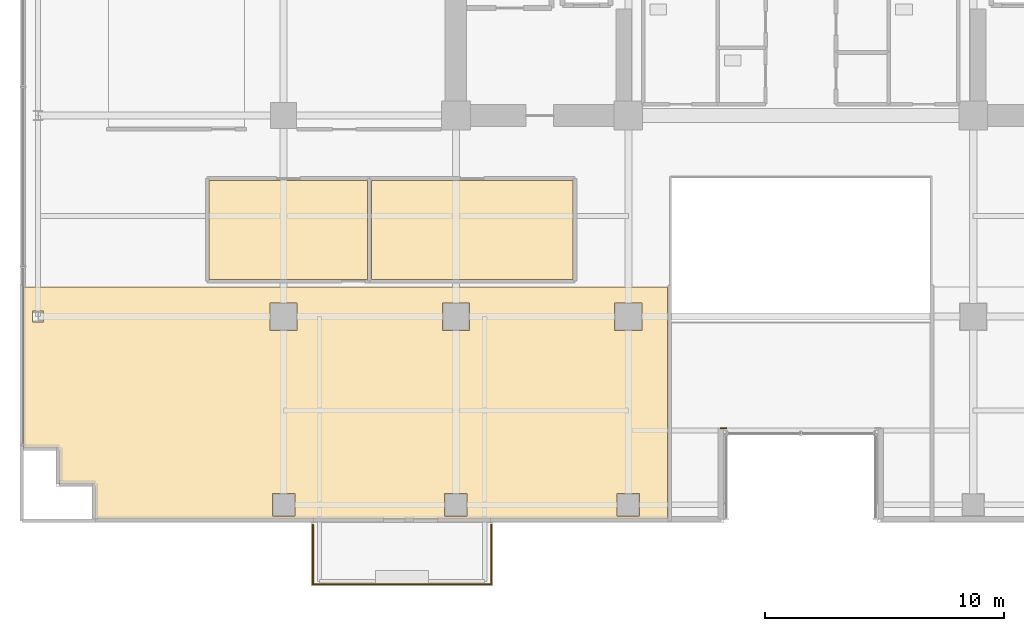
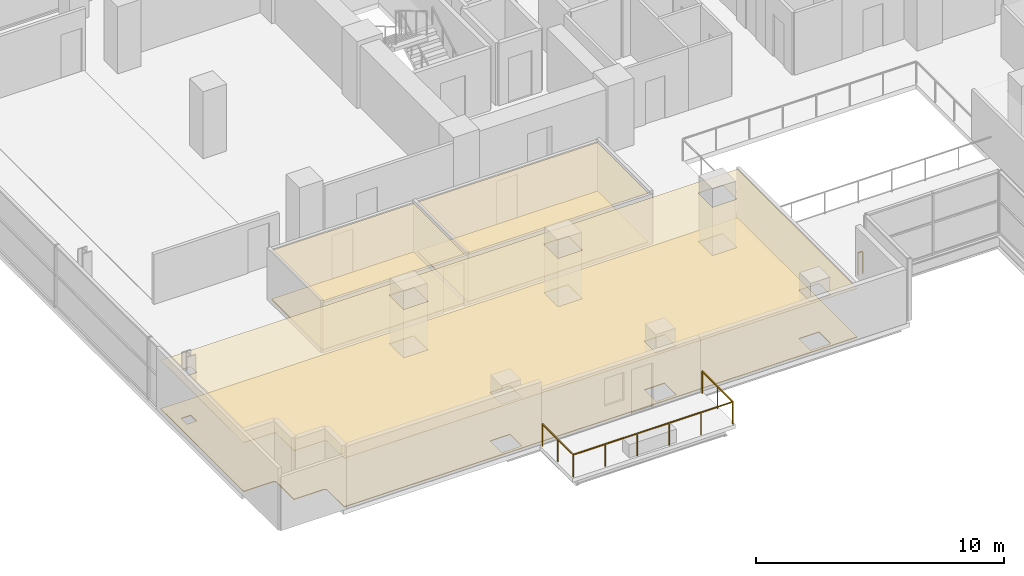
# One storey, part 26 of 30: 6 coverings, 2 railings.
"""IFC4 building model written with IfcOpenShell, lengths in metres."""

from ifc_helpers import new_model, si_unit, direction, frame, origin, origin_2d, place, context, subcontext, project, spatial, polyline, rectangle, outline, extrude, material, layer, layer_set, type_object, element, save


model = new_model("IFC4")

# Units and contexts
model_context = context("Model", 3, precision=1e-05, world=origin(), true_north=direction((0.0, 1.0)))
body_context = subcontext(model_context, "Body", "Model", "MODEL_VIEW")
ifc_project = project(units=[si_unit("LENGTHUNIT", "METRE"), si_unit("AREAUNIT", "SQUARE_METRE"), si_unit("VOLUMEUNIT", "CUBIC_METRE"), si_unit("PLANEANGLEUNIT", "RADIAN"), si_unit("MASSUNIT", "GRAM", prefix="KILO")], contexts=[model_context])

# Site, building, storey
site_placement = place(None, origin())
site = spatial("IfcSite", under=ifc_project, at=site_placement, CompositionType="ELEMENT")
building_placement = place(site_placement, origin())
building = spatial("IfcBuilding", under=site, at=building_placement, Name="Zarnakvel Exchange Tower", CompositionType="ELEMENT")
storey_placement = place(building_placement, frame((0.0, 0.0, 50.5)))
storey = spatial("IfcBuildingStorey", under=building, at=storey_placement, Name="L13", CompositionType="ELEMENT", Elevation=50.5)

# Coverings
ifc_material_1 = material(Name="Perforated Bronze Acoustic Metal Ceiling", Category="aluminium")
ifc_layer_1 = layer(ifc_material_1, 0.02001953125)
ifc_layer_set_1 = layer_set([ifc_layer_1], Name="Perforated Bronze Acoustic Metal Ceiling")
covering_type_1 = type_object("IfcCoveringType", Name="CLG-01", PredefinedType="CEILING", material=ifc_layer_set_1)
covering_1_placement = place(storey_placement, frame((0.0, 0.0, 2.405029296875)))
element("IfcCovering", 1, at=covering_1_placement, inside=storey, type_object=covering_type_1, Name="L13 Suspended Acoustic Ceiling (Conference Room)", PredefinedType="CEILING", context=body_context, shape_type="SweptSolid", body=[
    extrude(outline(polyline([(-24.710205078125, -3.909912109375), (-18.092529296875, -3.909912109375), (-18.092529296875, -8.0400390625), (-24.710205078125, -8.0400390625), (-24.710205078125, -3.909912109375)])), origin(), (0.0, 0.0, 1.0), 0.02001953125),
])
covering_2_placement = place(storey_placement, frame((0.0, 0.0, 2.405029296875)))
element("IfcCovering", 2, at=covering_2_placement, inside=storey, type_object=covering_type_1, Name="L13 Suspended Acoustic Ceiling (Executive Suite)", PredefinedType="CEILING", context=body_context, shape_type="SweptSolid", body=[
    extrude(outline(polyline([(-17.9326171875, -3.909912109375), (-9.510009765625, -3.909912109375), (-9.510009765625, -8.0400390625), (-17.9326171875, -8.0400390625), (-17.9326171875, -3.909912109375)])), origin(), (0.0, 0.0, 1.0), 0.02001953125),
])
covering_3_placement = place(storey_placement, frame((0.0, 0.0, 2.405029296875)))
element("IfcCovering", 3, at=covering_3_placement, inside=storey, type_object=covering_type_1, Name="L13 Suspended Acoustic Ceiling (Derivatives Trading Hall)", PredefinedType="CEILING", context=body_context, shape_type="SweptSolid", body=[
    extrude(outline(polyline([(-5.56005859375, -8.360107421875), (-5.56005859375, -18.050048828125), (-29.47998046875, -18.050048828125), (-29.47998046875, -16.699951171875), (-29.48046875, -16.688232421875), (-29.482421875, -16.676513671875), (-29.485107421875, -16.665283203125), (-29.489013671875, -16.654052734375), (-29.494140625, -16.643310546875), (-29.500244140625, -16.63330078125), (-29.50732421875, -16.623779296875), (-29.51513671875, -16.615234375), (-29.52392578125, -16.607177734375), (-29.533447265625, -16.600341796875), (-29.54345703125, -16.59423828125), (-29.55419921875, -16.589111328125), (-29.565185546875, -16.585205078125), (-29.57666015625, -16.582275390625), (-29.588134765625, -16.58056640625), (-29.60009765625, -16.580078125), (-30.97998046875, -16.580078125), (-30.97998046875, -15.199951171875), (-30.98046875, -15.188232421875), (-30.982421875, -15.176513671875), (-30.985107421875, -15.165283203125), (-30.989013671875, -15.154052734375), (-30.994140625, -15.143310546875), (-31.000244140625, -15.13330078125), (-31.00732421875, -15.123779296875), (-31.01513671875, -15.115234375), (-31.02392578125, -15.107177734375), (-31.033447265625, -15.100341796875), (-31.04345703125, -15.09423828125), (-31.05419921875, -15.089111328125), (-31.065185546875, -15.085205078125), (-31.07666015625, -15.082275390625), (-31.088134765625, -15.08056640625), (-31.10009765625, -15.080078125), (-32.449951171875, -15.080078125), (-32.449951171875, -8.360107421875), (-5.56005859375, -8.360107421875)]), holes=[polyline([(-7.77001953125, -10.169921875), (-6.6298828125, -10.169921875), (-6.6298828125, -9.030029296875), (-7.77001953125, -9.030029296875), (-7.77001953125, -10.169921875)]), polyline([(-6.72998046875, -17.919921875), (-6.72998046875, -16.97998046875), (-7.669921875, -16.97998046875), (-7.669921875, -17.919921875), (-6.72998046875, -17.919921875)]), polyline([(-13.830078125, -10.169921875), (-13.830078125, -9.030029296875), (-14.969970703125, -9.030029296875), (-14.969970703125, -10.169921875), (-13.830078125, -10.169921875)]), polyline([(-13.929931640625, -17.919921875), (-13.929931640625, -16.97998046875), (-14.8701171875, -16.97998046875), (-14.8701171875, -17.919921875), (-13.929931640625, -17.919921875)]), polyline([(-21.030029296875, -10.169921875), (-21.030029296875, -9.030029296875), (-22.169921875, -9.030029296875), (-22.169921875, -10.169921875), (-21.030029296875, -10.169921875)]), polyline([(-21.1298828125, -17.919921875), (-21.1298828125, -16.97998046875), (-22.070068359375, -16.97998046875), (-22.070068359375, -17.919921875), (-21.1298828125, -17.919921875)]), polyline([(-32.075927734375, -9.83251953125), (-31.6240234375, -9.83251953125), (-31.6240234375, -9.367431640625), (-32.075927734375, -9.367431640625), (-32.075927734375, -9.83251953125)])]), origin(), (0.0, 0.0, 1.0), 0.02001953125),
])
ifc_material_2 = material(Name="Heavy-Duty Raised Access Floor Panel", Category="steel")
ifc_layer_2 = layer(ifc_material_2, 0.034912109375)
ifc_layer_set_2 = layer_set([ifc_layer_2], Name="Heavy-Duty Raised Access Floor Panel")
covering_type_2 = type_object("IfcCoveringType", Name="FLR-02", PredefinedType="FLOORING", material=ifc_layer_set_2)
covering_4_placement = place(storey_placement, origin())
element("IfcCovering", 4, at=covering_4_placement, inside=storey, type_object=covering_type_2, Name="L13 Floor Finish (Conference Room)", PredefinedType="FLOORING", context=body_context, shape_type="SweptSolid", body=[
    extrude(outline(polyline([(-24.710205078125, -3.909912109375), (-18.092529296875, -3.909912109375), (-18.092529296875, -8.0400390625), (-24.710205078125, -8.0400390625), (-24.710205078125, -3.909912109375)])), origin(), (0.0, 0.0, 1.0), 0.034912109375),
])
covering_5_placement = place(storey_placement, origin())
element("IfcCovering", 5, at=covering_5_placement, inside=storey, type_object=covering_type_2, Name="L13 Floor Finish (Executive Suite)", PredefinedType="FLOORING", context=body_context, shape_type="SweptSolid", body=[
    extrude(outline(polyline([(-17.9326171875, -3.909912109375), (-9.510009765625, -3.909912109375), (-9.510009765625, -8.0400390625), (-17.9326171875, -8.0400390625), (-17.9326171875, -3.909912109375)])), origin(), (0.0, 0.0, 1.0), 0.034912109375),
])
covering_6_placement = place(storey_placement, origin())
element("IfcCovering", 6, at=covering_6_placement, inside=storey, type_object=covering_type_2, Name="L13 Floor Finish (Derivatives Trading Hall)", PredefinedType="FLOORING", context=body_context, shape_type="SweptSolid", body=[
    extrude(outline(polyline([(-5.56005859375, -8.360107421875), (-5.56005859375, -18.050048828125), (-29.47998046875, -18.050048828125), (-29.47998046875, -16.699951171875), (-29.48046875, -16.688232421875), (-29.482421875, -16.676513671875), (-29.485107421875, -16.665283203125), (-29.489013671875, -16.654052734375), (-29.494140625, -16.643310546875), (-29.500244140625, -16.63330078125), (-29.50732421875, -16.623779296875), (-29.51513671875, -16.615234375), (-29.52392578125, -16.607177734375), (-29.533447265625, -16.600341796875), (-29.54345703125, -16.59423828125), (-29.55419921875, -16.589111328125), (-29.565185546875, -16.585205078125), (-29.57666015625, -16.582275390625), (-29.588134765625, -16.58056640625), (-29.60009765625, -16.580078125), (-30.97998046875, -16.580078125), (-30.97998046875, -15.199951171875), (-30.98046875, -15.188232421875), (-30.982421875, -15.176513671875), (-30.985107421875, -15.165283203125), (-30.989013671875, -15.154052734375), (-30.994140625, -15.143310546875), (-31.000244140625, -15.13330078125), (-31.00732421875, -15.123779296875), (-31.01513671875, -15.115234375), (-31.02392578125, -15.107177734375), (-31.033447265625, -15.100341796875), (-31.04345703125, -15.09423828125), (-31.05419921875, -15.089111328125), (-31.065185546875, -15.085205078125), (-31.07666015625, -15.082275390625), (-31.088134765625, -15.08056640625), (-31.10009765625, -15.080078125), (-32.449951171875, -15.080078125), (-32.449951171875, -8.360107421875), (-5.56005859375, -8.360107421875)]), holes=[polyline([(-7.77001953125, -10.169921875), (-6.6298828125, -10.169921875), (-6.6298828125, -9.030029296875), (-7.77001953125, -9.030029296875), (-7.77001953125, -10.169921875)]), polyline([(-6.72998046875, -17.919921875), (-6.72998046875, -16.97998046875), (-7.669921875, -16.97998046875), (-7.669921875, -17.919921875), (-6.72998046875, -17.919921875)]), polyline([(-13.830078125, -10.169921875), (-13.830078125, -9.030029296875), (-14.969970703125, -9.030029296875), (-14.969970703125, -10.169921875), (-13.830078125, -10.169921875)]), polyline([(-13.929931640625, -17.919921875), (-13.929931640625, -16.97998046875), (-14.8701171875, -16.97998046875), (-14.8701171875, -17.919921875), (-13.929931640625, -17.919921875)]), polyline([(-21.030029296875, -10.169921875), (-21.030029296875, -9.030029296875), (-22.169921875, -9.030029296875), (-22.169921875, -10.169921875), (-21.030029296875, -10.169921875)]), polyline([(-21.1298828125, -17.919921875), (-21.1298828125, -16.97998046875), (-22.070068359375, -16.97998046875), (-22.070068359375, -17.919921875), (-21.1298828125, -17.919921875)]), polyline([(-32.075927734375, -9.83251953125), (-31.6240234375, -9.83251953125), (-31.6240234375, -9.367431640625), (-32.075927734375, -9.367431640625), (-32.075927734375, -9.83251953125)])]), origin(), (0.0, 0.0, 1.0), 0.034912109375),
])

# Railings
ifc_material_3 = material(Name="Architectural Bronze Anodised Aluminium", Category="aluminium")
railing_type = type_object("IfcRailingType", Name="GR-02", PredefinedType="GUARDRAIL", material=ifc_material_3)
railing_1_placement = place(storey_placement, frame((-20.3701171875, -18.280029296875, -0.034912109375)))
element("IfcRailing", 7, at=railing_1_placement, inside=storey, type_object=railing_type, Name="L13 Balcony Guardrail BAL-L13-SW", PredefinedType="GUARDRAIL", context=body_context, shape_type="SweptSolid", body=[
    extrude(rectangle(XDim=0.048095703125, YDim=0.048095703125, at=origin_2d()), frame((0.0, 0.0, 1.09619140625), z_axis=(0.0, -1.0, 0.0), x_axis=(1.0, 0.0, 0.0)), (0.0, 0.0, 1.0), 2.489990234375),
    extrude(rectangle(XDim=0.048095703125, YDim=0.048095703125, at=origin_2d()), frame((0.0, -2.489990234375, 1.09619140625), z_axis=(1.0, 0.0, 0.0), x_axis=(0.0, 1.0, 0.0)), (0.0, 0.0, 1.0), 7.440185546875),
    extrude(rectangle(XDim=0.048095703125, YDim=0.048095703125, at=origin_2d()), frame((7.440185546875, -2.489990234375, 1.09619140625), z_axis=(0.0, 1.0, 0.0), x_axis=(-1.0, 0.0, 0.0)), (0.0, 0.0, 1.0), 2.489990234375),
    extrude(rectangle(XDim=0.0419921875, YDim=0.0419921875, at=origin_2d()), origin(), (0.0, 0.0, 1.0), 1.072021484375),
    extrude(rectangle(XDim=0.0419921875, YDim=0.0419921875, at=origin_2d()), frame((0.0, -1.2451171875, 0.0)), (0.0, 0.0, 1.0), 1.072021484375),
    extrude(rectangle(XDim=0.0419921875, YDim=0.0419921875, at=origin_2d()), frame((0.0, -2.489990234375, 0.0)), (0.0, 0.0, 1.0), 1.072021484375),
    extrude(rectangle(XDim=0.0419921875, YDim=0.0419921875, at=origin_2d()), frame((1.488037109375, -2.489990234375, 0.0)), (0.0, 0.0, 1.0), 1.072021484375),
    extrude(rectangle(XDim=0.0419921875, YDim=0.0419921875, at=origin_2d()), frame((2.97607421875, -2.489990234375, 0.0)), (0.0, 0.0, 1.0), 1.072021484375),
    extrude(rectangle(XDim=0.0419921875, YDim=0.0419921875, at=origin_2d()), frame((4.464111328125, -2.489990234375, 0.0)), (0.0, 0.0, 1.0), 1.072021484375),
    extrude(rectangle(XDim=0.0419921875, YDim=0.0419921875, at=origin_2d()), frame((5.9521484375, -2.489990234375, 0.0)), (0.0, 0.0, 1.0), 1.072021484375),
    extrude(rectangle(XDim=0.0419921875, YDim=0.0419921875, at=origin_2d()), frame((7.440185546875, -2.489990234375, 0.0)), (0.0, 0.0, 1.0), 1.072021484375),
    extrude(rectangle(XDim=0.0419921875, YDim=0.0419921875, at=origin_2d()), frame((7.440185546875, -1.2451171875, 0.0)), (0.0, 0.0, 1.0), 1.072021484375),
    extrude(rectangle(XDim=0.0419921875, YDim=0.0419921875, at=origin_2d()), frame((7.440185546875, 0.0, 0.0)), (0.0, 0.0, 1.0), 1.072021484375),
])
railing_2_placement = place(storey_placement, frame((-3.1201171875, -14.260009765625, 0.0)))
element("IfcRailing", 8, at=railing_2_placement, inside=storey, type_object=railing_type, Name="L13 Corner Spandrel Balustrade #19", PredefinedType="GUARDRAIL", context=body_context, shape_type="SweptSolid", body=[
    extrude(rectangle(XDim=0.048095703125, YDim=0.048095703125, at=origin_2d()), frame((0.0, 0.0, 1.09619140625), z_axis=(-1.0, 0.0, 0.0), x_axis=(0.0, -1.0, 0.0)), (0.0, 0.0, 1.0), 0.219970703125),
    extrude(rectangle(XDim=0.0419921875, YDim=0.0419921875, at=origin_2d()), origin(), (0.0, 0.0, 1.0), 1.072021484375),
    extrude(rectangle(XDim=0.0419921875, YDim=0.0419921875, at=origin_2d()), frame((-0.219970703125, 0.0, 0.0)), (0.0, 0.0, 1.0), 1.072021484375),
])

save(model, "model.ifc")
